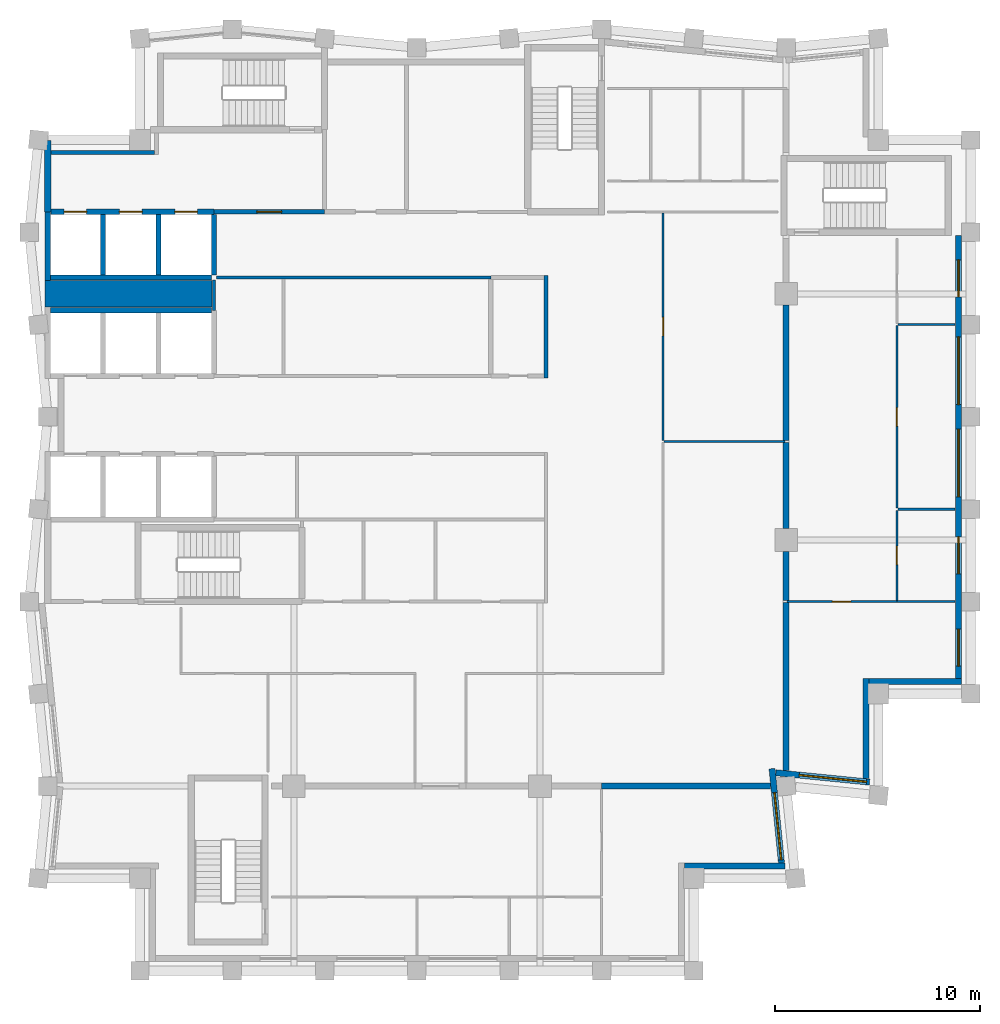
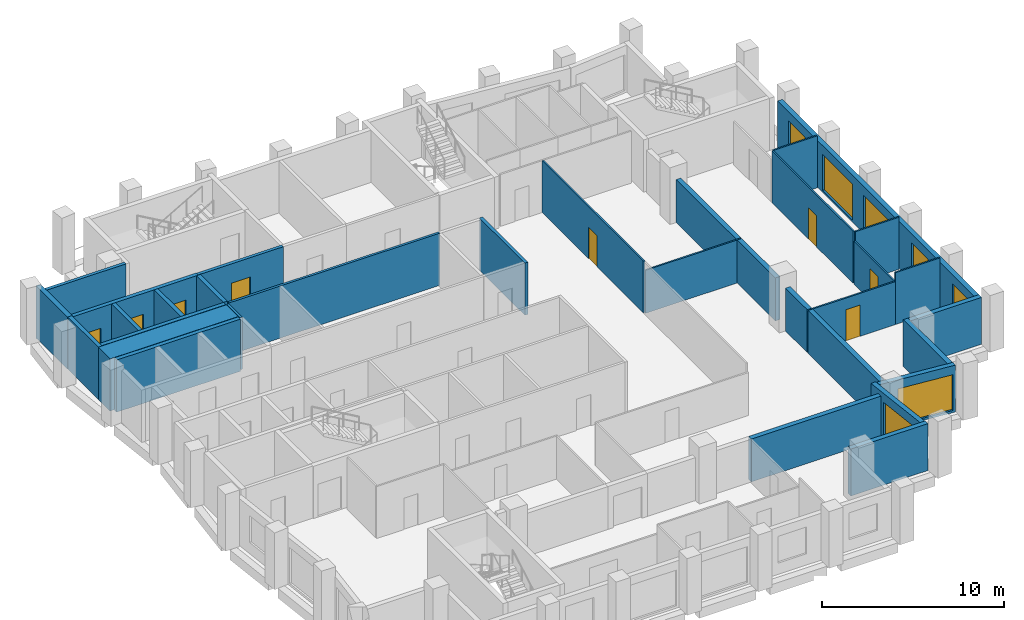
# One storey, part 4 of 7: 33 walls, 8 doors, 7 windows, 15 openings.
"""IFC4 building model written with IfcOpenShell, lengths in metres."""

from ifc_helpers import new_model, si_unit, direction, frame, frame_2d, origin, place, context, subcontext, project, spatial, rectangle, extrude, material, layer, layer_set, type_object, element, fill, save


model = new_model("IFC4")

# Units and contexts
model_context = context("Model", 3, precision=1e-05, world=origin(), true_north=direction((0.0, 1.0)))
body_context = subcontext(model_context, "Body", "Model", "MODEL_VIEW")
ifc_project = project(units=[si_unit("LENGTHUNIT", "METRE"), si_unit("AREAUNIT", "SQUARE_METRE"), si_unit("VOLUMEUNIT", "CUBIC_METRE"), si_unit("PLANEANGLEUNIT", "RADIAN"), si_unit("MASSUNIT", "GRAM", prefix="KILO")], contexts=[model_context])

# Site, building, storey
site_placement = place(None, origin())
site = spatial("IfcSite", under=ifc_project, at=site_placement, CompositionType="ELEMENT")
building_placement = place(site_placement, origin())
building = spatial("IfcBuilding", under=site, at=building_placement, Name="Brondeck Convention Tower", CompositionType="ELEMENT")
storey_placement = place(building_placement, frame((0.0, 0.0, 271.39990234375)))
storey = spatial("IfcBuildingStorey", under=building, at=storey_placement, Name="L67", CompositionType="ELEMENT", Elevation=271.39990234375)

# Walls
ifc_material_1 = material(Name="Concrete compartment wall C30/37", Category="concrete")
ifc_layer_1 = layer(ifc_material_1, 0.300048828125)
ifc_layer_set_1 = layer_set([ifc_layer_1], Name="Compartment wall 300")
wall_type_1 = type_object("IfcWallType", Name="Compartment wall 300", PredefinedType="PARTITIONING", material=ifc_layer_set_1)
wall_1_placement = place(storey_placement, frame((27.0, 27.0, 0.0), z_axis=(0.0, 0.0, 1.0), x_axis=(1.0, 0.0, 0.0)))
element("IfcWall", 1, at=wall_1_placement, inside=storey, type_object=wall_type_1, Name="FLR-L67-W018", PredefinedType="PARTITIONING", context=body_context, shape_type="SweptSolid", body=[
    extrude(rectangle(XDim=8.226318359375, YDim=0.300048828125, at=frame_2d((4.11328125, 0.0))), origin(), (0.0, 0.0, 1.0), 2.880126953125),
])
wall_2_placement = place(storey_placement, frame((36.0, 27.773681640625, 0.0), z_axis=(0.0, 0.0, 1.0), x_axis=(0.0, 1.0, 0.0)))
element("IfcWall", 2, at=wall_2_placement, inside=storey, type_object=wall_type_1, Name="FLR-L67-W021", PredefinedType="PARTITIONING", context=body_context, shape_type="SweptSolid", body=[
    extrude(rectangle(XDim=8.17626953125, YDim=0.300048828125, at=frame_2d((4.088134765625, 0.0))), origin(), (0.0, 0.0, 1.0), 2.880126953125),
])
wall_3_placement = place(storey_placement, frame((36.0, 36.050048828125, 0.0), z_axis=(0.0, 0.0, 1.0), x_axis=(0.0, 1.0, 0.0)))
element("IfcWall", 3, at=wall_3_placement, inside=storey, type_object=wall_type_1, Name="FLR-L67-W031", PredefinedType="PARTITIONING", context=body_context, shape_type="SweptSolid", body=[
    extrude(rectangle(XDim=2.39501953125, YDim=0.300048828125, at=frame_2d((1.197509765625, 0.0))), origin(), (0.0, 0.0, 1.0), 2.880126953125),
])
wall_4_placement = place(storey_placement, frame((36.0, 39.554931640625, 0.0), z_axis=(0.0, 0.0, 1.0), x_axis=(0.0, 1.0, 0.0)))
element("IfcWall", 4, at=wall_4_placement, inside=storey, type_object=wall_type_1, Name="FLR-L67-W032", PredefinedType="PARTITIONING", context=body_context, shape_type="SweptSolid", body=[
    extrude(rectangle(XDim=4.195068359375, YDim=0.300048828125, at=frame_2d((2.09765625, 0.0))), origin(), (0.0, 0.0, 1.0), 2.880126953125),
])
wall_5_placement = place(storey_placement, frame((36.0, 43.85009765625, 0.0), z_axis=(0.0, 0.0, 1.0), x_axis=(0.0, 1.0, 0.0)))
element("IfcWall", 5, at=wall_5_placement, inside=storey, type_object=wall_type_1, Name="FLR-L67-W037", PredefinedType="PARTITIONING", context=body_context, shape_type="SweptSolid", body=[
    extrude(rectangle(XDim=6.594970703125, YDim=0.300048828125, at=frame_2d((3.29736328125, 0.0))), origin(), (0.0, 0.0, 1.0), 2.880126953125),
])
ifc_material_2 = material(Name="Concrete C50/60", Category="concrete")
ifc_layer_2 = layer(ifc_material_2, 0.199951171875)
ifc_layer_set_2 = layer_set([ifc_layer_2], Name="Core beam-seat wall 200 Concrete C50/60")
wall_type_2 = type_object("IfcWallType", Name="Core beam-seat wall 200 Concrete C50/60", PredefinedType="SHEAR", material=ifc_layer_set_2)
wall_6_placement = place(storey_placement, frame((24.300048828125, 46.89990234375, 0.0), z_axis=(0.0, 0.0, 1.0), x_axis=(0.0, 1.0, 0.0)))
element("IfcWall", 6, at=wall_6_placement, inside=storey, type_object=wall_type_2, Name="L67 core wall", PredefinedType="SHEAR", context=body_context, shape_type="SweptSolid", body=[
    extrude(rectangle(XDim=5.0, YDim=0.199951171875, at=frame_2d((2.5, 0.0))), origin(), (0.0, 0.0, 1.0), 3.5),
])
ifc_layer_3 = layer(ifc_material_2, 0.300048828125)
ifc_layer_set_3 = layer_set([ifc_layer_3], Name="Core outer wall 300 Concrete C50/60")
wall_type_3 = type_object("IfcWallType", Name="Core outer wall 300 Concrete C50/60", PredefinedType="SHEAR", material=ifc_layer_set_3)
wall_7_placement = place(storey_placement, frame((0.0, 55.0, 0.0), z_axis=(0.0, 0.0, 1.0), x_axis=(0.0, 1.0, 0.0)))
element("IfcWall", 7, at=wall_7_placement, inside=storey, type_object=wall_type_3, Name="L67 core wall", PredefinedType="SHEAR", context=body_context, shape_type="SweptSolid", body=[
    extrude(rectangle(XDim=3.4775390625, YDim=0.300048828125, at=frame_2d((1.73876953125, 0.0))), origin(), (0.0, 0.0, 1.0), 3.5),
])
ifc_material_3 = material(Name="Fire-rated gypsum board partition")
ifc_layer_4 = layer(ifc_material_3, 0.14990234375)
ifc_layer_set_4 = layer_set([ifc_layer_4], Name="Core partition 150 EI 60")
wall_type_4 = type_object("IfcWallType", Name="Core partition 150 EI 60", PredefinedType="PARTITIONING", material=ifc_layer_set_4)
wall_8_placement = place(storey_placement, frame((8.22509765625, 51.800048828125, 0.0), z_axis=(0.0, 0.0, 1.0), x_axis=(1.0, 0.0, 0.0)))
element("IfcWall", 8, at=wall_8_placement, inside=storey, type_object=wall_type_4, Name="L67 core wall", PredefinedType="PARTITIONING", context=body_context, shape_type="SweptSolid", body=[
    extrude(rectangle(XDim=13.375, YDim=0.14990234375, at=frame_2d((6.6875, 0.0))), origin(), (0.0, 0.0, 1.0), 3.5),
])
wall_9_placement = place(storey_placement, frame((8.10009765625, 50.199951171875, 0.0), z_axis=(0.0, 0.0, 1.0), x_axis=(0.0, 1.0, 0.0)))
element("IfcWall", 9, at=wall_9_placement, inside=storey, type_object=wall_type_4, Name="L67 core wall", PredefinedType="PARTITIONING", context=body_context, shape_type="SweptSolid", body=[
    extrude(rectangle(XDim=1.47509765625, YDim=0.14990234375, at=frame_2d((0.737548828125, 0.0))), origin(), (0.0, 0.0, 1.0), 3.5),
])
ifc_layer_5 = layer(ifc_material_2, 1.300048828125)
ifc_layer_set_5 = layer_set([ifc_layer_5], Name="Core shear wall 1300 Concrete C50/60")
wall_type_5 = type_object("IfcWallType", Name="Core shear wall 1300 Concrete C50/60", PredefinedType="SHEAR", material=ifc_layer_set_5)
wall_10_placement = place(storey_placement, frame((-0.125, 51.0, 0.0), z_axis=(0.0, 0.0, 1.0), x_axis=(1.0, 0.0, 0.0)))
element("IfcWall", 10, at=wall_10_placement, inside=storey, type_object=wall_type_5, Name="L67 core wall", PredefinedType="SHEAR", context=body_context, shape_type="SweptSolid", body=[
    extrude(rectangle(XDim=8.125, YDim=1.300048828125, at=frame_2d((4.0625, 0.0))), origin(), (0.0, 0.0, 1.0), 3.5),
])
ifc_material_4 = material(Name="Precast concrete C50/60 bronze finish", Category="concrete")
ifc_layer_6 = layer(ifc_material_4, 0.070068359375, Name="Bronze precast facing")
ifc_material_5 = material(Name="Mineral wool")
ifc_layer_7 = layer(ifc_material_5, 0.159912109375, Name="Insulation")
ifc_material_6 = material(Name="Concrete C35/45", Category="concrete")
ifc_layer_8 = layer(ifc_material_6, 0.070068359375, Name="Backing")
ifc_layer_set_6 = layer_set([ifc_layer_6, ifc_layer_7, ifc_layer_8], Name="External infill wall, precast concrete C50/60 bronze facing")
wall_type_6 = type_object("IfcWallType", Name="External infill wall, precast concrete C50/60 bronze facing", PredefinedType="SOLIDWALL", material=ifc_layer_set_6)
wall_11_placement = place(storey_placement, frame((35.952880859375, 23.10009765625, 0.0), z_axis=(0.0, 0.0, 1.0), x_axis=(-1.0, 0.0, 0.0)))
element("IfcWall", 11, at=wall_11_placement, inside=storey, type_object=wall_type_6, Name="ENV-EW-L67-P3-NC-SEB18-02", PredefinedType="SOLIDWALL", context=body_context, shape_type="SweptSolid", body=[
    extrude(rectangle(XDim=4.90283203125, YDim=0.300048828125, at=frame_2d((2.451416015625, 0.0))), origin(), (0.0, 0.0, 1.0), 3.150146484375),
])

# Wall, opening, window
wall_12_placement = place(storey_placement, frame((35.311767578125, 27.852294921875, 0.0), z_axis=(0.0, 0.0, 1.0), x_axis=(0.099503719021, -0.99503719021, 0.0)))
wall_12 = element("IfcWall", 12, at=wall_12_placement, inside=storey, type_object=wall_type_6, Name="ENV-EW-L67-P3-B-E-00", PredefinedType="SOLIDWALL", context=body_context, shape_type="SweptSolid", body=[
    extrude(rectangle(XDim=4.6201171875, YDim=0.300048828125, at=frame_2d((2.31005859375, 0.0))), origin(), (0.0, 0.0, 1.0), 3.150146484375),
])
opening_1_placement = place(wall_12_placement, frame((1.170166015625, 0.0, 0.14990234375)))
opening_1 = element("IfcOpeningElement", 13, at=opening_1_placement, cuts=wall_12, Name="Opening W9", PredefinedType="OPENING", context=body_context, shape_type="SweptSolid", body=[
    extrude(rectangle(XDim=3.300048828125, YDim=2.39990234375, at=frame_2d((1.64990234375, 1.199951171875))), frame((0.0, 0.159912109375, 0.0), z_axis=(0.0, -1.0, 0.0), x_axis=(1.0, 0.0, 0.0)), (0.0, 0.0, 1.0), 0.320068359375),
])
ifc_material_7 = material(Name="Bronze tinted double glazing", Category="glass")
window_type_1 = type_object("IfcWindowType", Name="Glazed flute window, bronze tinted", PartitioningType="SINGLE_PANEL", PredefinedType="WINDOW", material=ifc_material_7)
window_1_placement = place(opening_1_placement, origin())
window_1 = element("IfcWindow", 14, at=window_1_placement, inside=storey, type_object=window_type_1, Name="ENV-WN-L67-P3-B-E-00", OverallHeight=2.39990234375, OverallWidth=3.300048828125, PartitioningType="SINGLE_PANEL", PredefinedType="WINDOW", context=body_context, shape_type="SweptSolid", body=[
    extrude(rectangle(XDim=3.300048828125, YDim=2.39990234375, at=frame_2d((1.64990234375, 1.199951171875))), frame((0.0, 0.030029296875, 0.0), z_axis=(0.0, -1.0, 0.0), x_axis=(1.0, 0.0, 0.0)), (0.0, 0.0, 1.0), 0.06005859375),
])
fill(opening_1, window_1)

wall_13_placement = place(storey_placement, frame((40.06494140625, 27.196533203125, 0.0), z_axis=(0.0, 0.0, 1.0), x_axis=(-0.995036663613, 0.099508984853, 0.0)))
wall_13 = element("IfcWall", 15, at=wall_13_placement, inside=storey, type_object=wall_type_6, Name="ENV-EW-L67-P3-A-S-00", PredefinedType="SOLIDWALL", context=body_context, shape_type="SweptSolid", body=[
    extrude(rectangle(XDim=4.59033203125, YDim=0.300048828125, at=frame_2d((2.295166015625, 0.0))), origin(), (0.0, 0.0, 1.0), 3.150146484375),
])
opening_2_placement = place(wall_13_placement, frame((0.14990234375, 0.0, 0.14990234375)))
opening_2 = element("IfcOpeningElement", 16, at=opening_2_placement, cuts=wall_13, Name="Opening W9", PredefinedType="OPENING", context=body_context, shape_type="SweptSolid", body=[
    extrude(rectangle(XDim=3.300048828125, YDim=2.39990234375, at=frame_2d((1.64990234375, 1.199951171875))), frame((0.0, 0.159912109375, 0.0), z_axis=(0.0, -1.0, 0.0), x_axis=(1.0, 0.0, 0.0)), (0.0, 0.0, 1.0), 0.320068359375),
])
window_2_placement = place(opening_2_placement, origin())
window_2 = element("IfcWindow", 17, at=window_2_placement, inside=storey, type_object=window_type_1, Name="ENV-WN-L67-P3-A-S-00", OverallHeight=2.39990234375, OverallWidth=3.300048828125, PartitioningType="SINGLE_PANEL", PredefinedType="WINDOW", context=body_context, shape_type="SweptSolid", body=[
    extrude(rectangle(XDim=3.300048828125, YDim=2.39990234375, at=frame_2d((1.64990234375, 1.199951171875))), frame((0.0, 0.030029296875, 0.0), z_axis=(0.0, -1.0, 0.0), x_axis=(1.0, 0.0, 0.0)), (0.0, 0.0, 1.0), 0.06005859375),
])
fill(opening_2, window_2)

# Walls
wall_14_placement = place(storey_placement, frame((39.89990234375, 32.25, 0.0), z_axis=(0.0, 0.0, 1.0), x_axis=(0.0, -1.0, 0.0)))
element("IfcWall", 18, at=wall_14_placement, inside=storey, type_object=wall_type_6, Name="ENV-EW-L67-P3-NC-SEA45-01", PredefinedType="SOLIDWALL", context=body_context, shape_type="SweptSolid", body=[
    extrude(rectangle(XDim=4.881103515625, YDim=0.300048828125, at=frame_2d((2.4404296875, 0.0))), origin(), (0.0, 0.0, 1.0), 3.150146484375),
])
wall_15_placement = place(storey_placement, frame((44.550048828125, 32.10009765625, 0.0), z_axis=(0.0, 0.0, 1.0), x_axis=(-1.0, 0.0, 0.0)))
element("IfcWall", 19, at=wall_15_placement, inside=storey, type_object=wall_type_6, Name="ENV-EW-L67-P3-NC-SEA45-02", PredefinedType="SOLIDWALL", context=body_context, shape_type="SweptSolid", body=[
    extrude(rectangle(XDim=4.501953125, YDim=0.300048828125, at=frame_2d((2.2509765625, 0.0))), origin(), (0.0, 0.0, 1.0), 3.150146484375),
])

# Wall, openings, windows
wall_16_placement = place(storey_placement, frame((44.39990234375, 53.85009765625, 0.0), z_axis=(0.0, 0.0, 1.0), x_axis=(0.0, -1.0, 0.0)))
wall_16 = element("IfcWall", 20, at=wall_16_placement, inside=storey, type_object=wall_type_6, Name="ENV-EW-L67-P3-A-E45-01", PredefinedType="SOLIDWALL", context=body_context, shape_type="SweptSolid", body=[
    extrude(rectangle(XDim=21.60205078125, YDim=0.300048828125, at=frame_2d((10.801025390625, 0.0))), origin(), (0.0, 0.0, 1.0), 3.150146484375),
])
opening_3_placement = place(wall_16_placement, frame((1.199951171875, 0.0, 0.75)))
opening_3 = element("IfcOpeningElement", 21, at=opening_3_placement, cuts=wall_16, Name="Opening W10", PredefinedType="OPENING", context=body_context, shape_type="SweptSolid", body=[
    extrude(rectangle(XDim=1.800048828125, YDim=1.800048828125, at=frame_2d((0.89990234375, 0.89990234375))), frame((0.0, 0.159912109375, 0.0), z_axis=(0.0, -1.0, 0.0), x_axis=(1.0, 0.0, 0.0)), (0.0, 0.0, 1.0), 0.320068359375),
])
opening_4_placement = place(wall_16_placement, frame((4.949951171875, 0.0, 0.14990234375)))
opening_4 = element("IfcOpeningElement", 22, at=opening_4_placement, cuts=wall_16, Name="Opening W9", PredefinedType="OPENING", context=body_context, shape_type="SweptSolid", body=[
    extrude(rectangle(XDim=3.300048828125, YDim=2.39990234375, at=frame_2d((1.64990234375, 1.199951171875))), frame((0.0, 0.159912109375, 0.0), z_axis=(0.0, -1.0, 0.0), x_axis=(1.0, 0.0, 0.0)), (0.0, 0.0, 1.0), 0.320068359375),
])
opening_5_placement = place(wall_16_placement, frame((9.449951171875, 0.0, 0.14990234375)))
opening_5 = element("IfcOpeningElement", 23, at=opening_5_placement, cuts=wall_16, Name="Opening W9", PredefinedType="OPENING", context=body_context, shape_type="SweptSolid", body=[
    extrude(rectangle(XDim=3.300048828125, YDim=2.39990234375, at=frame_2d((1.64990234375, 1.199951171875))), frame((0.0, 0.159912109375, 0.0), z_axis=(0.0, -1.0, 0.0), x_axis=(1.0, 0.0, 0.0)), (0.0, 0.0, 1.0), 0.320068359375),
])
opening_6_placement = place(wall_16_placement, frame((14.699951171875, 0.0, 0.75)))
opening_6 = element("IfcOpeningElement", 24, at=opening_6_placement, cuts=wall_16, Name="Opening W10", PredefinedType="OPENING", context=body_context, shape_type="SweptSolid", body=[
    extrude(rectangle(XDim=1.800048828125, YDim=1.800048828125, at=frame_2d((0.89990234375, 0.89990234375))), frame((0.0, 0.159912109375, 0.0), z_axis=(0.0, -1.0, 0.0), x_axis=(1.0, 0.0, 0.0)), (0.0, 0.0, 1.0), 0.320068359375),
])
opening_7_placement = place(wall_16_placement, frame((19.199951171875, 0.0, 0.75)))
opening_7 = element("IfcOpeningElement", 25, at=opening_7_placement, cuts=wall_16, Name="Opening W10", PredefinedType="OPENING", context=body_context, shape_type="SweptSolid", body=[
    extrude(rectangle(XDim=1.800048828125, YDim=1.800048828125, at=frame_2d((0.89990234375, 0.89990234375))), frame((0.0, 0.159912109375, 0.0), z_axis=(0.0, -1.0, 0.0), x_axis=(1.0, 0.0, 0.0)), (0.0, 0.0, 1.0), 0.320068359375),
])
window_3_placement = place(opening_4_placement, origin())
window_3 = element("IfcWindow", 26, at=window_3_placement, inside=storey, type_object=window_type_1, Name="ENV-WN-L67-P3-A-E45-04", OverallHeight=2.39990234375, OverallWidth=3.300048828125, PartitioningType="SINGLE_PANEL", PredefinedType="WINDOW", context=body_context, shape_type="SweptSolid", body=[
    extrude(rectangle(XDim=3.300048828125, YDim=2.39990234375, at=frame_2d((1.64990234375, 1.199951171875))), frame((0.0, 0.030029296875, 0.0), z_axis=(0.0, -1.0, 0.0), x_axis=(1.0, 0.0, 0.0)), (0.0, 0.0, 1.0), 0.06005859375),
])
fill(opening_4, window_3)
window_4_placement = place(opening_5_placement, origin())
window_4 = element("IfcWindow", 27, at=window_4_placement, inside=storey, type_object=window_type_1, Name="ENV-WN-L67-P3-A-E45-03", OverallHeight=2.39990234375, OverallWidth=3.300048828125, PartitioningType="SINGLE_PANEL", PredefinedType="WINDOW", context=body_context, shape_type="SweptSolid", body=[
    extrude(rectangle(XDim=3.300048828125, YDim=2.39990234375, at=frame_2d((1.64990234375, 1.199951171875))), frame((0.0, 0.030029296875, 0.0), z_axis=(0.0, -1.0, 0.0), x_axis=(1.0, 0.0, 0.0)), (0.0, 0.0, 1.0), 0.06005859375),
])
fill(opening_5, window_4)
window_type_2 = type_object("IfcWindowType", Name="Punched window, bronze tinted", PartitioningType="SINGLE_PANEL", PredefinedType="WINDOW", material=ifc_material_7)
window_5_placement = place(opening_3_placement, origin())
window_5 = element("IfcWindow", 28, at=window_5_placement, inside=storey, type_object=window_type_2, Name="ENV-WN-L67-P3-A-E45-05", OverallHeight=1.800048828125, OverallWidth=1.800048828125, PartitioningType="SINGLE_PANEL", PredefinedType="WINDOW", context=body_context, shape_type="SweptSolid", body=[
    extrude(rectangle(XDim=1.800048828125, YDim=1.800048828125, at=frame_2d((0.89990234375, 0.89990234375))), frame((0.0, 0.030029296875, 0.0), z_axis=(0.0, -1.0, 0.0), x_axis=(1.0, 0.0, 0.0)), (0.0, 0.0, 1.0), 0.06005859375),
])
fill(opening_3, window_5)
window_6_placement = place(opening_6_placement, origin())
window_6 = element("IfcWindow", 29, at=window_6_placement, inside=storey, type_object=window_type_2, Name="ENV-WN-L67-P3-A-E45-02", OverallHeight=1.800048828125, OverallWidth=1.800048828125, PartitioningType="SINGLE_PANEL", PredefinedType="WINDOW", context=body_context, shape_type="SweptSolid", body=[
    extrude(rectangle(XDim=1.800048828125, YDim=1.800048828125, at=frame_2d((0.89990234375, 0.89990234375))), frame((0.0, 0.030029296875, 0.0), z_axis=(0.0, -1.0, 0.0), x_axis=(1.0, 0.0, 0.0)), (0.0, 0.0, 1.0), 0.06005859375),
])
fill(opening_6, window_6)
window_7_placement = place(opening_7_placement, origin())
window_7 = element("IfcWindow", 30, at=window_7_placement, inside=storey, type_object=window_type_2, Name="ENV-WN-L67-P3-A-E45-01", OverallHeight=1.800048828125, OverallWidth=1.800048828125, PartitioningType="SINGLE_PANEL", PredefinedType="WINDOW", context=body_context, shape_type="SweptSolid", body=[
    extrude(rectangle(XDim=1.800048828125, YDim=1.800048828125, at=frame_2d((0.89990234375, 0.89990234375))), frame((0.0, 0.030029296875, 0.0), z_axis=(0.0, -1.0, 0.0), x_axis=(1.0, 0.0, 0.0)), (0.0, 0.0, 1.0), 0.06005859375),
])
fill(opening_7, window_7)

# Wall, opening, door
ifc_layer_9 = layer(ifc_material_3, 0.199951171875)
ifc_layer_set_7 = layer_set([ifc_layer_9], Name="Firefighting lobby wall 200 EI 120")
wall_type_7 = type_object("IfcWallType", Name="Firefighting lobby wall 200 EI 120", PredefinedType="PARTITIONING", material=ifc_layer_set_7)
wall_17_placement = place(storey_placement, frame((8.10009765625, 55.0, 0.0), z_axis=(0.0, 0.0, 1.0), x_axis=(1.0, 0.0, 0.0)))
wall_17 = element("IfcWall", 31, at=wall_17_placement, inside=storey, type_object=wall_type_7, Name="L67 core wall", PredefinedType="PARTITIONING", context=body_context, shape_type="SweptSolid", body=[
    extrude(rectangle(XDim=5.39990234375, YDim=0.199951171875, at=frame_2d((2.699951171875, 0.0))), origin(), (0.0, 0.0, 1.0), 3.5),
])
opening_8_placement = place(wall_17_placement, frame((2.10009765625, 0.0, 0.0)))
opening_8 = element("IfcOpeningElement", 32, at=opening_8_placement, cuts=wall_17, Name="Opening C37-01", PredefinedType="OPENING", context=body_context, shape_type="SweptSolid", body=[
    extrude(rectangle(XDim=1.199951171875, YDim=2.199951171875, at=frame_2d((0.60009765625, 1.10009765625))), frame((0.0, 0.10986328125, 0.0), z_axis=(0.0, -1.0, 0.0), x_axis=(1.0, 0.0, 0.0)), (0.0, 0.0, 1.0), 0.219970703125),
])
ifc_material_8 = material(Name="Steel fire door", Category="steel")
door_type_1 = type_object("IfcDoorType", Name="Firefighting lobby door 1200x2200 EI 120", OperationType="NOTDEFINED", PredefinedType="DOOR", material=ifc_material_8)
door_1_placement = place(opening_8_placement, origin())
door_1 = element("IfcDoor", 33, at=door_1_placement, inside=storey, type_object=door_type_1, Name="L67 Firefighting lobby door FFL-1", OperationType="SINGLE_SWING_RIGHT", OverallHeight=2.199951171875, OverallWidth=1.199951171875, PredefinedType="DOOR", context=body_context, shape_type="SweptSolid", body=[
    extrude(rectangle(XDim=1.199951171875, YDim=2.199951171875, at=frame_2d((0.60009765625, 1.10009765625))), frame((0.0, 0.02490234375, 0.0), z_axis=(0.0, -1.0, 0.0), x_axis=(1.0, 0.0, 0.0)), (0.0, 0.0, 1.0), 0.050048828125),
])
fill(opening_8, door_1)

# Walls
wall_18_placement = place(storey_placement, frame((0.14990234375, 57.89990234375, 0.0), z_axis=(0.0, 0.0, 1.0), x_axis=(1.0, 0.0, 0.0)))
element("IfcWall", 34, at=wall_18_placement, inside=storey, type_object=wall_type_7, Name="L67 core wall", PredefinedType="PARTITIONING", context=body_context, shape_type="SweptSolid", body=[
    extrude(rectangle(XDim=5.050048828125, YDim=0.199951171875, at=frame_2d((2.52490234375, 0.0))), origin(), (0.0, 0.0, 1.0), 3.5),
])
ifc_layer_10 = layer(ifc_material_2, 0.25)
ifc_layer_set_8 = layer_set([ifc_layer_10], Name="Lift shaft wall 250 Concrete C50/60")
wall_type_8 = type_object("IfcWallType", Name="Lift shaft wall 250 Concrete C50/60", PredefinedType="SHEAR", material=ifc_layer_set_8)
for number, where, z_axis, x_axis, name in (
    (35, (0.125, 50.199951171875, 0.0), (0.0, 0.0, 1.0), (1.0, 0.0, 0.0), "L67 core wall"),
    (36, (0.125, 51.800048828125, 0.0), (0.0, 0.0, 1.0), (1.0, 0.0, 0.0), "L67 core wall"),
):
    element("IfcWall", number, at=place(storey_placement, frame(where, z_axis=z_axis, x_axis=x_axis)), inside=storey, type_object=wall_type_8, Name=name, PredefinedType="SHEAR", context=body_context, shape_type="SweptSolid", body=[
        extrude(rectangle(XDim=7.85009765625, YDim=0.25, at=frame_2d((3.925048828125, 0.0))), origin(), (0.0, 0.0, 1.0), 3.5),
    ])

# Wall, openings, doors
wall_19_placement = place(storey_placement, frame((0.14990234375, 55.0, 0.0), z_axis=(0.0, 0.0, 1.0), x_axis=(1.0, 0.0, 0.0)))
wall_19 = element("IfcWall", 37, at=wall_19_placement, inside=storey, type_object=wall_type_8, Name="L67 core wall", PredefinedType="SHEAR", context=body_context, shape_type="SweptSolid", body=[
    extrude(rectangle(XDim=7.9501953125, YDim=0.25, at=frame_2d((3.97509765625, 0.0))), origin(), (0.0, 0.0, 1.0), 3.5),
])
opening_9_placement = place(wall_19_placement, frame((0.64990234375, 0.0, 0.0)))
opening_9 = element("IfcOpeningElement", 38, at=opening_9_placement, cuts=wall_19, Name="Opening C37-18", PredefinedType="OPENING", context=body_context, shape_type="SweptSolid", body=[
    extrude(rectangle(XDim=1.10009765625, YDim=2.10009765625, at=frame_2d((0.550048828125, 1.050048828125))), frame((0.0, 0.135009765625, 0.0), z_axis=(0.0, -1.0, 0.0), x_axis=(1.0, 0.0, 0.0)), (0.0, 0.0, 1.0), 0.27001953125),
])
opening_10_placement = place(wall_19_placement, frame((3.35009765625, 0.0, 0.0)))
opening_10 = element("IfcOpeningElement", 39, at=opening_10_placement, cuts=wall_19, Name="Opening C37-19", PredefinedType="OPENING", context=body_context, shape_type="SweptSolid", body=[
    extrude(rectangle(XDim=1.10009765625, YDim=2.10009765625, at=frame_2d((0.550048828125, 1.050048828125))), frame((0.0, 0.135009765625, 0.0), z_axis=(0.0, -1.0, 0.0), x_axis=(1.0, 0.0, 0.0)), (0.0, 0.0, 1.0), 0.27001953125),
])
opening_11_placement = place(wall_19_placement, frame((6.050048828125, 0.0, 0.0)))
opening_11 = element("IfcOpeningElement", 40, at=opening_11_placement, cuts=wall_19, Name="Opening C37-20", PredefinedType="OPENING", context=body_context, shape_type="SweptSolid", body=[
    extrude(rectangle(XDim=1.10009765625, YDim=2.10009765625, at=frame_2d((0.550048828125, 1.050048828125))), frame((0.0, 0.135009765625, 0.0), z_axis=(0.0, -1.0, 0.0), x_axis=(1.0, 0.0, 0.0)), (0.0, 0.0, 1.0), 0.27001953125),
])
ifc_material_9 = material(Name="Stainless steel lift door", Category="steel")
door_type_2 = type_object("IfcDoorType", Name="Lift landing door 1100x2100 EI 180", OperationType="DOUBLE_DOOR_SLIDING", PredefinedType="DOOR", material=ifc_material_9)
door_2_placement = place(opening_9_placement, origin())
door_2 = element("IfcDoor", 41, at=door_2_placement, inside=storey, type_object=door_type_2, Name="L67 Lift landing door FF1", OperationType="DOUBLE_DOOR_SLIDING", OverallHeight=2.10009765625, OverallWidth=1.10009765625, PredefinedType="DOOR", context=body_context, shape_type="SweptSolid", body=[
    extrude(rectangle(XDim=1.10009765625, YDim=2.10009765625, at=frame_2d((0.550048828125, 1.050048828125))), frame((0.0, 0.02490234375, 0.0), z_axis=(0.0, -1.0, 0.0), x_axis=(1.0, 0.0, 0.0)), (0.0, 0.0, 1.0), 0.050048828125),
])
fill(opening_9, door_2)
door_3_placement = place(opening_10_placement, origin())
door_3 = element("IfcDoor", 42, at=door_3_placement, inside=storey, type_object=door_type_2, Name="L67 Lift landing door FF2", OperationType="DOUBLE_DOOR_SLIDING", OverallHeight=2.10009765625, OverallWidth=1.10009765625, PredefinedType="DOOR", context=body_context, shape_type="SweptSolid", body=[
    extrude(rectangle(XDim=1.10009765625, YDim=2.10009765625, at=frame_2d((0.550048828125, 1.050048828125))), frame((0.0, 0.02490234375, 0.0), z_axis=(0.0, -1.0, 0.0), x_axis=(1.0, 0.0, 0.0)), (0.0, 0.0, 1.0), 0.050048828125),
])
fill(opening_10, door_3)
door_4_placement = place(opening_11_placement, origin())
door_4 = element("IfcDoor", 43, at=door_4_placement, inside=storey, type_object=door_type_2, Name="L67 Lift landing door FF3", OperationType="DOUBLE_DOOR_SLIDING", OverallHeight=2.10009765625, OverallWidth=1.10009765625, PredefinedType="DOOR", context=body_context, shape_type="SweptSolid", body=[
    extrude(rectangle(XDim=1.10009765625, YDim=2.10009765625, at=frame_2d((0.550048828125, 1.050048828125))), frame((0.0, 0.02490234375, 0.0), z_axis=(0.0, -1.0, 0.0), x_axis=(1.0, 0.0, 0.0)), (0.0, 0.0, 1.0), 0.050048828125),
])
fill(opening_11, door_4)

# Walls
wall_20_placement = place(storey_placement, frame((0.0, 51.64990234375, 0.0), z_axis=(0.0, 0.0, 1.0), x_axis=(0.0, 1.0, 0.0)))
element("IfcWall", 44, at=wall_20_placement, inside=storey, type_object=wall_type_8, Name="L67 core wall", PredefinedType="SHEAR", context=body_context, shape_type="SweptSolid", body=[
    extrude(rectangle(XDim=3.35009765625, YDim=0.25, at=frame_2d((1.675048828125, 0.0))), origin(), (0.0, 0.0, 1.0), 3.5),
])
for number, where, z_axis, x_axis, name in (
    (45, (2.699951171875, 51.925048828125, 0.0), (0.0, 0.0, 1.0), (0.0, 1.0, 0.0), "L67 core wall"),
    (46, (5.39990234375, 51.925048828125, 0.0), (0.0, 0.0, 1.0), (0.0, 1.0, 0.0), "L67 core wall"),
    (47, (8.10009765625, 51.925048828125, 0.0), (0.0, 0.0, 1.0), (0.0, 1.0, 0.0), "L67 core wall"),
):
    element("IfcWall", number, at=place(storey_placement, frame(where, z_axis=z_axis, x_axis=x_axis)), inside=storey, type_object=wall_type_8, Name=name, PredefinedType="SHEAR", context=body_context, shape_type="SweptSolid", body=[
        extrude(rectangle(XDim=2.949951171875, YDim=0.25, at=frame_2d((1.47509765625, 0.0))), origin(), (0.0, 0.0, 1.0), 3.5),
    ])

# Wall, opening, door
ifc_material_10 = material(Name="Gypsum board partition on steel studs", Category="steel")
ifc_layer_11 = layer(ifc_material_10, 0.10009765625)
ifc_layer_set_9 = layer_set([ifc_layer_11], Name="Room partition 100")
wall_type_9 = type_object("IfcWallType", Name="Room partition 100", PredefinedType="PARTITIONING", material=ifc_layer_set_9)
wall_21_placement = place(storey_placement, frame((41.39990234375, 36.0, 0.0), z_axis=(0.0, 0.0, 1.0), x_axis=(-1.0, 0.0, 0.0)))
wall_21 = element("IfcWall", 48, at=wall_21_placement, inside=storey, type_object=wall_type_9, Name="FLR-L67-W029", PredefinedType="PARTITIONING", context=body_context, shape_type="SweptSolid", body=[
    extrude(rectangle(XDim=5.349853515625, YDim=0.10009765625, at=frame_2d((2.6748046875, 0.0))), origin(), (0.0, 0.0, 1.0), 2.880126953125),
])
opening_12_placement = place(wall_21_placement, frame((2.25, 0.0, 0.0)))
opening_12 = element("IfcOpeningElement", 49, at=opening_12_placement, cuts=wall_21, Name="Opening EX-C-004", PredefinedType="OPENING", context=body_context, shape_type="SweptSolid", body=[
    extrude(rectangle(XDim=0.89990234375, YDim=2.10009765625, at=frame_2d((0.449951171875, 1.050048828125))), frame((0.0, 0.06005859375, 0.0), z_axis=(0.0, -1.0, 0.0), x_axis=(1.0, 0.0, 0.0)), (0.0, 0.0, 1.0), 0.1201171875),
])
ifc_material_11 = material(Name="Solid timber door leaf", Category="wood")
door_type_3 = type_object("IfcDoorType", Name="Single door 900", OperationType="NOTDEFINED", PredefinedType="DOOR", material=ifc_material_11)
door_5_placement = place(opening_12_placement, origin())
door_5 = element("IfcDoor", 50, at=door_5_placement, inside=storey, type_object=door_type_3, Name="Door EX-C-004", OperationType="SINGLE_SWING_LEFT", OverallHeight=2.10009765625, OverallWidth=0.89990234375, PredefinedType="DOOR", context=body_context, shape_type="SweptSolid", body=[
    extrude(rectangle(XDim=0.89990234375, YDim=2.10009765625, at=frame_2d((0.449951171875, 1.050048828125))), frame((0.0, 0.02490234375, 0.0), z_axis=(0.0, -1.0, 0.0), x_axis=(1.0, 0.0, 0.0)), (0.0, 0.0, 1.0), 0.050048828125),
])
fill(opening_12, door_5)

# Wall
wall_22_placement = place(storey_placement, frame((44.22998046875, 36.0, 0.0), z_axis=(0.0, 0.0, 1.0), x_axis=(-1.0, 0.0, 0.0)))
element("IfcWall", 51, at=wall_22_placement, inside=storey, type_object=wall_type_9, Name="FLR-L67-W030", PredefinedType="PARTITIONING", context=body_context, shape_type="SweptSolid", body=[
    extrude(rectangle(XDim=2.830078125, YDim=0.10009765625, at=frame_2d((1.4150390625, 0.0))), origin(), (0.0, 0.0, 1.0), 3.47998046875),
])

# Wall, opening, door
wall_23_placement = place(storey_placement, frame((41.39990234375, 40.449951171875, 0.0), z_axis=(0.0, 0.0, 1.0), x_axis=(0.0, -1.0, 0.0)))
wall_23 = element("IfcWall", 52, at=wall_23_placement, inside=storey, type_object=wall_type_9, Name="FLR-L67-W033", PredefinedType="PARTITIONING", context=body_context, shape_type="SweptSolid", body=[
    extrude(rectangle(XDim=4.39990234375, YDim=0.10009765625, at=frame_2d((2.199951171875, 0.0))), origin(), (0.0, 0.0, 1.0), 2.880126953125),
])
opening_13_placement = place(wall_23_placement, frame((1.75, 0.0, 0.0)))
opening_13 = element("IfcOpeningElement", 53, at=opening_13_placement, cuts=wall_23, Name="Opening EX-C-001", PredefinedType="OPENING", context=body_context, shape_type="SweptSolid", body=[
    extrude(rectangle(XDim=0.89990234375, YDim=2.10009765625, at=frame_2d((0.449951171875, 1.050048828125))), frame((0.0, 0.06005859375, 0.0), z_axis=(0.0, -1.0, 0.0), x_axis=(1.0, 0.0, 0.0)), (0.0, 0.0, 1.0), 0.1201171875),
])
door_6_placement = place(opening_13_placement, origin())
door_6 = element("IfcDoor", 54, at=door_6_placement, inside=storey, type_object=door_type_3, Name="Door EX-C-001", OperationType="SINGLE_SWING_RIGHT", OverallHeight=2.10009765625, OverallWidth=0.89990234375, PredefinedType="DOOR", context=body_context, shape_type="SweptSolid", body=[
    extrude(rectangle(XDim=0.89990234375, YDim=2.10009765625, at=frame_2d((0.449951171875, 1.050048828125))), frame((0.0, 0.02490234375, 0.0), z_axis=(0.0, -1.0, 0.0), x_axis=(1.0, 0.0, 0.0)), (0.0, 0.0, 1.0), 0.050048828125),
])
fill(opening_13, door_6)

# Walls
wall_24_placement = place(storey_placement, frame((41.449951171875, 40.5, 0.0), z_axis=(0.0, 0.0, 1.0), x_axis=(1.0, 0.0, 0.0)))
element("IfcWall", 55, at=wall_24_placement, inside=storey, type_object=wall_type_9, Name="FLR-L67-W034", PredefinedType="PARTITIONING", context=body_context, shape_type="SweptSolid", body=[
    extrude(rectangle(XDim=2.780029296875, YDim=0.10009765625, at=frame_2d((1.39013671875, 0.0))), origin(), (0.0, 0.0, 1.0), 3.47998046875),
])
wall_25_placement = place(storey_placement, frame((30.050048828125, 43.800048828125, 0.0), z_axis=(0.0, 0.0, 1.0), x_axis=(1.0, 0.0, 0.0)))
element("IfcWall", 56, at=wall_25_placement, inside=storey, type_object=wall_type_9, Name="FLR-L67-W036", PredefinedType="PARTITIONING", context=body_context, shape_type="SweptSolid", body=[
    extrude(rectangle(XDim=5.89990234375, YDim=0.10009765625, at=frame_2d((2.949951171875, 0.0))), origin(), (0.0, 0.0, 1.0), 2.880126953125),
])

# Wall, opening, door
wall_26_placement = place(storey_placement, frame((41.39990234375, 49.449951171875, 0.0), z_axis=(0.0, 0.0, 1.0), x_axis=(0.0, -1.0, 0.0)))
wall_26 = element("IfcWall", 57, at=wall_26_placement, inside=storey, type_object=wall_type_9, Name="FLR-L67-W038", PredefinedType="PARTITIONING", context=body_context, shape_type="SweptSolid", body=[
    extrude(rectangle(XDim=8.89990234375, YDim=0.10009765625, at=frame_2d((4.449951171875, 0.0))), origin(), (0.0, 0.0, 1.0), 3.47998046875),
])
opening_14_placement = place(wall_26_placement, frame((4.0, 0.0, 0.0)))
opening_14 = element("IfcOpeningElement", 58, at=opening_14_placement, cuts=wall_26, Name="Opening EX-C-002", PredefinedType="OPENING", context=body_context, shape_type="SweptSolid", body=[
    extrude(rectangle(XDim=0.89990234375, YDim=2.10009765625, at=frame_2d((0.449951171875, 1.050048828125))), frame((0.0, 0.06005859375, 0.0), z_axis=(0.0, -1.0, 0.0), x_axis=(1.0, 0.0, 0.0)), (0.0, 0.0, 1.0), 0.1201171875),
])
door_7_placement = place(opening_14_placement, origin())
door_7 = element("IfcDoor", 59, at=door_7_placement, inside=storey, type_object=door_type_3, Name="Door EX-C-002", OperationType="SINGLE_SWING_LEFT", OverallHeight=2.10009765625, OverallWidth=0.89990234375, PredefinedType="DOOR", context=body_context, shape_type="SweptSolid", body=[
    extrude(rectangle(XDim=0.89990234375, YDim=2.10009765625, at=frame_2d((0.449951171875, 1.050048828125))), frame((0.0, 0.02490234375, 0.0), z_axis=(0.0, -1.0, 0.0), x_axis=(1.0, 0.0, 0.0)), (0.0, 0.0, 1.0), 0.050048828125),
])
fill(opening_14, door_7)

# Wall
wall_27_placement = place(storey_placement, frame((41.449951171875, 49.5, 0.0), z_axis=(0.0, 0.0, 1.0), x_axis=(1.0, 0.0, 0.0)))
element("IfcWall", 60, at=wall_27_placement, inside=storey, type_object=wall_type_9, Name="FLR-L67-W039", PredefinedType="PARTITIONING", context=body_context, shape_type="SweptSolid", body=[
    extrude(rectangle(XDim=2.780029296875, YDim=0.10009765625, at=frame_2d((1.39013671875, 0.0))), origin(), (0.0, 0.0, 1.0), 3.47998046875),
])

# Wall, opening, door
wall_28_placement = place(storey_placement, frame((30.0, 54.949951171875, 0.0), z_axis=(0.0, 0.0, 1.0), x_axis=(0.0, -1.0, 0.0)))
wall_28 = element("IfcWall", 61, at=wall_28_placement, inside=storey, type_object=wall_type_9, Name="FLR-L67-W042", PredefinedType="PARTITIONING", context=body_context, shape_type="SweptSolid", body=[
    extrude(rectangle(XDim=11.099853515625, YDim=0.10009765625, at=frame_2d((5.5498046875, 0.0))), origin(), (0.0, 0.0, 1.0), 3.47998046875),
])
opening_15_placement = place(wall_28_placement, frame((5.10009765625, 0.0, 0.0)))
opening_15 = element("IfcOpeningElement", 62, at=opening_15_placement, cuts=wall_28, Name="Opening EX-C-017", PredefinedType="OPENING", context=body_context, shape_type="SweptSolid", body=[
    extrude(rectangle(XDim=0.89990234375, YDim=2.10009765625, at=frame_2d((0.449951171875, 1.050048828125))), frame((0.0, 0.06005859375, 0.0), z_axis=(0.0, -1.0, 0.0), x_axis=(1.0, 0.0, 0.0)), (0.0, 0.0, 1.0), 0.1201171875),
])
door_8_placement = place(opening_15_placement, origin())
door_8 = element("IfcDoor", 63, at=door_8_placement, inside=storey, type_object=door_type_3, Name="Door EX-C-017", OperationType="SINGLE_SWING_RIGHT", OverallHeight=2.10009765625, OverallWidth=0.89990234375, PredefinedType="DOOR", context=body_context, shape_type="SweptSolid", body=[
    extrude(rectangle(XDim=0.89990234375, YDim=2.10009765625, at=frame_2d((0.449951171875, 1.050048828125))), frame((0.0, 0.02490234375, 0.0), z_axis=(0.0, -1.0, 0.0), x_axis=(1.0, 0.0, 0.0)), (0.0, 0.0, 1.0), 0.050048828125),
])
fill(opening_15, door_8)

save(model, "model.ifc")
